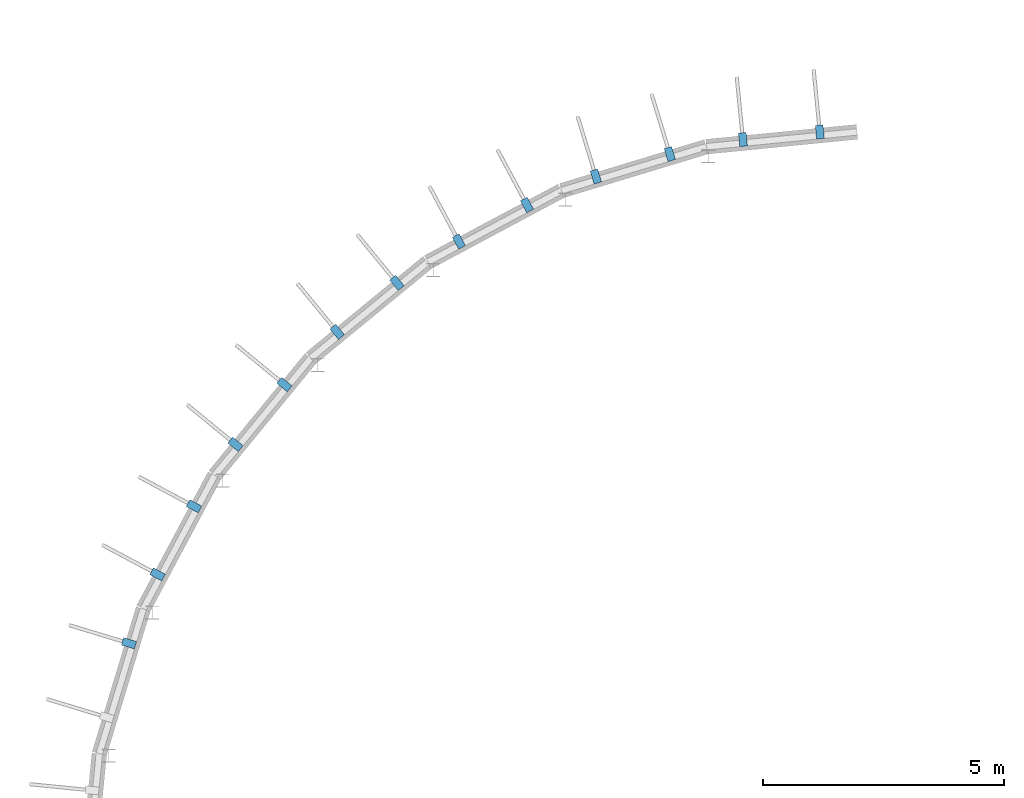
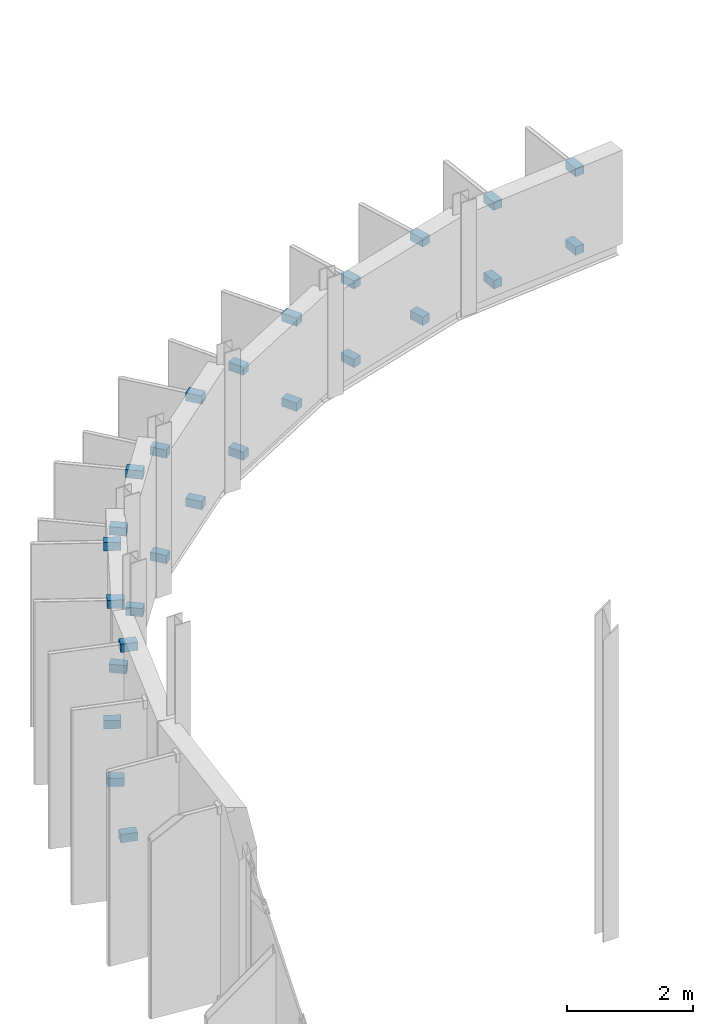
# One storey, part 32 of 38: 26 discrete accessories.
"""IFC4 building model written with IfcOpenShell, lengths in metres."""

from ifc_helpers import new_model, si_unit, direction, frame, origin, origin_2d, place, context, subcontext, project, spatial, rectangle, extrude, material, type_object, element, save


model = new_model("IFC4")

# Units and contexts
model_context = context("Model", 3, precision=1e-05, world=origin(), true_north=direction((0.0, 1.0)))
body_context = subcontext(model_context, "Body", "Model", "MODEL_VIEW")
ifc_project = project(units=[si_unit("LENGTHUNIT", "METRE"), si_unit("AREAUNIT", "SQUARE_METRE"), si_unit("VOLUMEUNIT", "CUBIC_METRE"), si_unit("PLANEANGLEUNIT", "RADIAN"), si_unit("MASSUNIT", "GRAM", prefix="KILO")], contexts=[model_context])

# Site, building, storey
site_placement = place(None, origin())
site = spatial("IfcSite", under=ifc_project, at=site_placement, CompositionType="ELEMENT")
building_placement = place(site_placement, origin())
building = spatial("IfcBuilding", under=site, at=building_placement, Name="Drelvana Railside Aquatics Centre", CompositionType="ELEMENT")
storey_placement = place(building_placement, frame((0.0, 0.0, 14.39990234375)))
storey = spatial("IfcBuildingStorey", under=building, at=storey_placement, Name="L03", CompositionType="ELEMENT", Elevation=14.39990234375)

# Discrete accessories
ifc_material = material(Name="Stainless steel 316 facade bracket", Category="steel")
discrete_accessory_type = type_object("IfcDiscreteAccessoryType", Name="ACC-BRACKET-FIN", PredefinedType="BRACKET", material=ifc_material)
for number, where, z_axis, x_axis, name in (
    (1, (15.22802734375, 83.999267578125, -0.23486328125), (0.0, 0.0, 1.0), (-0.09801714033, 0.995184726672, 0.0), "Shading fin bracket BK-0699"),
    (2, (15.22802734375, 83.999267578125, 1.2900390625), (0.0, 0.0, 1.0), (-0.09801714033, 0.995184726672, 0.0), "Shading fin bracket BK-0700"),
    (3, (13.6357421875, 83.842529296875, -0.23486328125), (0.0, 0.0, 1.0), (-0.09801714033, 0.995184726672, 0.0), "Shading fin bracket BK-0701"),
    (4, (13.6357421875, 83.842529296875, 1.2900390625), (0.0, 0.0, 1.0), (-0.09801714033, 0.995184726672, 0.0), "Shading fin bracket BK-0702"),
    (5, (12.12158203125, 83.541259765625, -0.23486328125), (0.0, 0.0, 1.0), (-0.290284677254, 0.956940335732, 0.0), "Shading fin bracket BK-0715"),
    (6, (12.12158203125, 83.541259765625, 1.2900390625), (0.0, 0.0, 1.0), (-0.290284677254, 0.956940335732, 0.0), "Shading fin bracket BK-0716"),
    (7, (10.590576171875, 83.076904296875, -0.23486328125), (0.0, 0.0, 1.0), (-0.290284677254, 0.956940335732, 0.0), "Shading fin bracket BK-0717"),
    (8, (10.590576171875, 83.076904296875, 1.2900390625), (0.0, 0.0, 1.0), (-0.290284677254, 0.956940335732, 0.0), "Shading fin bracket BK-0718"),
    (9, (9.164306640625, 82.486083984375, -0.23486328125), (0.0, 0.0, 1.0), (-0.471396736826, 0.881921264348, 0.0), "Shading fin bracket BK-0731"),
    (10, (9.164306640625, 82.486083984375, 1.4169921875), (0.0, 0.0, 1.0), (-0.471396736826, 0.881921264348, 0.0), "Shading fin bracket BK-0732"),
    (11, (7.753173828125, 81.731689453125, -0.23486328125), (0.0, 0.0, 1.0), (-0.471396736826, 0.881921264348, 0.0), "Shading fin bracket BK-0733"),
    (12, (7.753173828125, 81.731689453125, 1.4169921875), (0.0, 0.0, 1.0), (-0.471396736826, 0.881921264348, 0.0), "Shading fin bracket BK-0734"),
    (13, (6.469482421875, 80.8740234375, -0.23486328125), (0.0, 0.0, 1.0), (-0.634393284164, 0.773010453363, 0.0), "Shading fin bracket BK-0747"),
    (14, (6.469482421875, 80.8740234375, 1.81396484375), (0.0, 0.0, 1.0), (-0.634393284164, 0.773010453363, 0.0), "Shading fin bracket BK-0748"),
    (15, (5.232666015625, 79.859130859375, -0.23486328125), (0.0, 0.0, 1.0), (-0.634393284164, 0.773010453363, 0.0), "Shading fin bracket BK-0749"),
    (16, (5.232666015625, 79.859130859375, 1.81396484375), (0.0, 0.0, 1.0), (-0.634393284164, 0.773010453363, 0.0), "Shading fin bracket BK-0750"),
    (17, (4.140869140625, 78.767333984375, -0.23486328125), (0.0, 0.0, 1.0), (-0.773010453363, 0.634393284164, 0.0), "Shading fin bracket BK-0763"),
    (18, (4.140869140625, 78.767333984375, 2.43408203125), (0.0, 0.0, 1.0), (-0.773010453363, 0.634393284164, 0.0), "Shading fin bracket BK-0764"),
    (19, (3.1259765625, 77.530517578125, -0.23486328125), (0.0, 0.0, 1.0), (-0.773010453363, 0.634393284164, 0.0), "Shading fin bracket BK-0765"),
    (20, (3.1259765625, 77.530517578125, 2.43408203125), (0.0, 0.0, 1.0), (-0.773010453363, 0.634393284164, 0.0), "Shading fin bracket BK-0766"),
    (21, (2.268310546875, 76.246826171875, -0.23486328125), (0.0, 0.0, 1.0), (-0.881921264348, 0.471396736826, 0.0), "Shading fin bracket BK-0779"),
    (22, (2.268310546875, 76.246826171875, 3.21923828125), (0.0, 0.0, 1.0), (-0.881921264348, 0.471396736826, 0.0), "Shading fin bracket BK-0780"),
    (23, (1.513916015625, 74.835693359375, -0.23486328125), (0.0, 0.0, 1.0), (-0.881921264348, 0.471396736826, 0.0), "Shading fin bracket BK-0781"),
    (24, (1.513916015625, 74.835693359375, 3.21923828125), (0.0, 0.0, 1.0), (-0.881921264348, 0.471396736826, 0.0), "Shading fin bracket BK-0782"),
    (25, (0.923095703125, 73.409423828125, -0.23486328125), (0.0, 0.0, 1.0), (-0.956940335732, 0.290284677254, 0.0), "Shading fin bracket BK-0795"),
    (26, (0.923095703125, 73.409423828125, 3.455078125), (0.0, 0.0, 1.0), (-0.956940335732, 0.290284677254, 0.0), "Shading fin bracket BK-0796"),
):
    element("IfcDiscreteAccessory", number, at=place(storey_placement, frame(where, z_axis=z_axis, x_axis=x_axis)), inside=storey, type_object=discrete_accessory_type, Name=name, PredefinedType="BRACKET", context=body_context, shape_type="SweptSolid", body=[
        extrude(rectangle(XDim=0.280029296875, YDim=0.159912109375, at=origin_2d()), origin(), (0.0, 0.0, 1.0), 0.159912109375),
    ])

save(model, "model.ifc")
